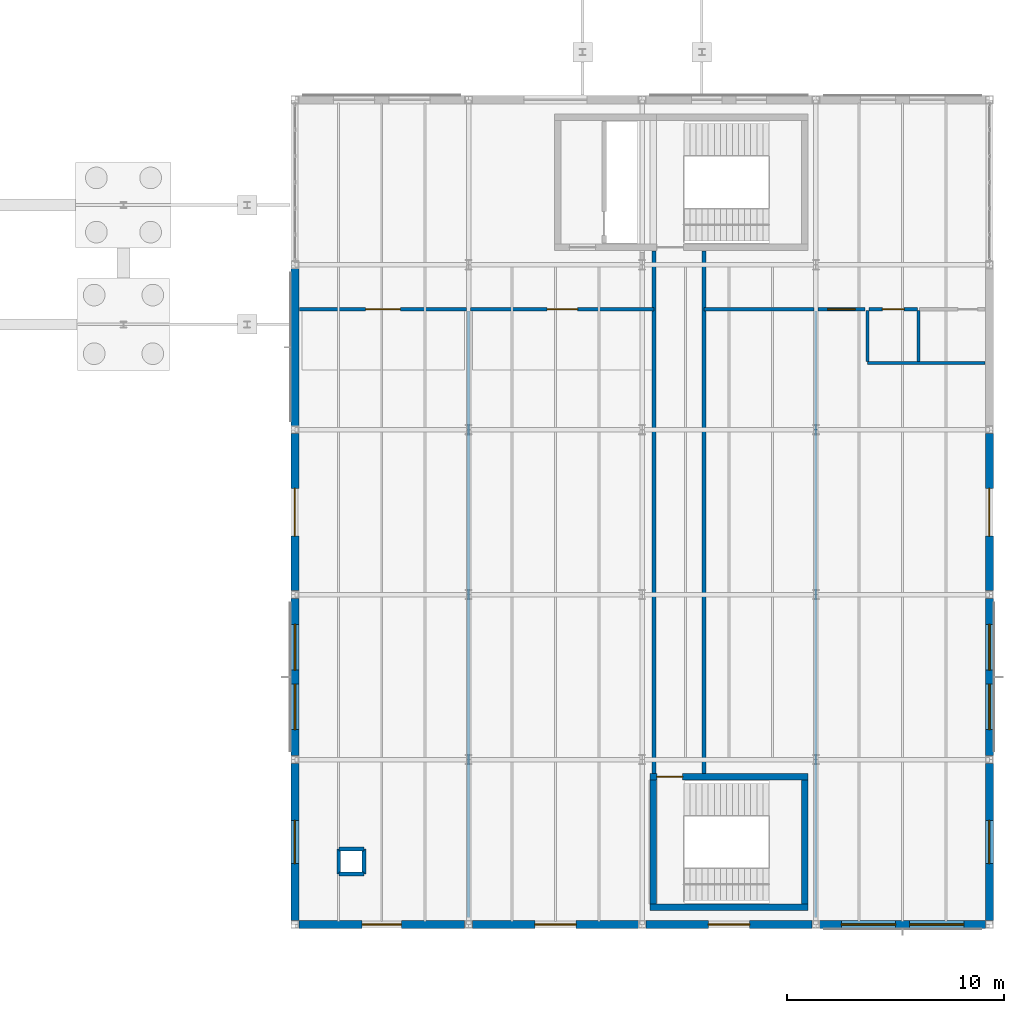
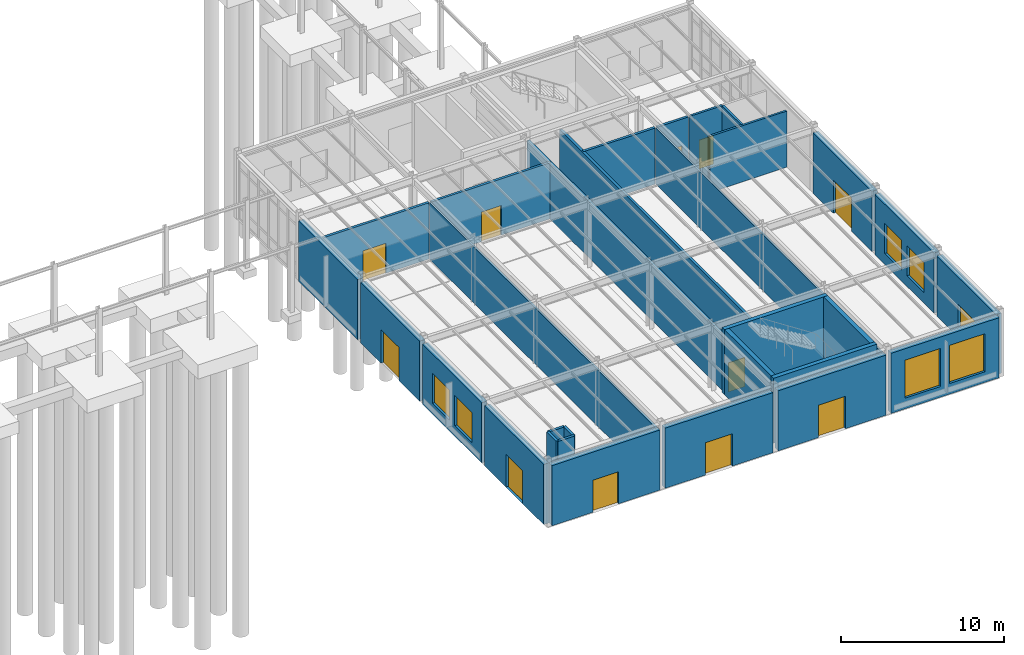
# One storey, part 91 of 109: 31 walls, 12 doors, 6 windows, 18 openings.
"""IFC4 building model written with IfcOpenShell, lengths in metres."""

from ifc_helpers import new_model, si_unit, direction, frame, frame_2d, origin, place, context, subcontext, project, spatial, rectangle, extrude, material, layer, layer_set, type_object, element, fill, save


model = new_model("IFC4")

# Units and contexts
model_context = context("Model", 3, precision=1e-05, world=origin(), true_north=direction((0.0, 1.0)))
body_context = subcontext(model_context, "Body", "Model", "MODEL_VIEW")
ifc_project = project(units=[si_unit("LENGTHUNIT", "METRE"), si_unit("AREAUNIT", "SQUARE_METRE"), si_unit("VOLUMEUNIT", "CUBIC_METRE"), si_unit("PLANEANGLEUNIT", "RADIAN"), si_unit("MASSUNIT", "GRAM", prefix="KILO")], contexts=[model_context])

# Site, building, storey
site_placement = place(None, origin())
site = spatial("IfcSite", under=ifc_project, at=site_placement, CompositionType="ELEMENT")
building_placement = place(site_placement, origin())
building = spatial("IfcBuilding", under=site, at=building_placement, Name="Montecoro Central Library", CompositionType="ELEMENT")
storey_placement = place(building_placement, origin())
storey = spatial("IfcBuildingStorey", under=building, at=storey_placement, Name="L00", CompositionType="ELEMENT", Elevation=0.0)

# Wall, opening, door
ifc_material_1 = material(Name="Dark piperno stone clad concrete C35/45", Category="masonry")
ifc_layer_1 = layer(ifc_material_1, 0.385009765625)
ifc_layer_set_1 = layer_set([ifc_layer_1], Name="Dark piperno stone clad concrete C35/45")
wall_type_1 = type_object("IfcWallType", Name="EW-PIP-385", PredefinedType="SOLIDWALL", material=ifc_layer_set_1)
wall_1_placement = place(storey_placement, frame((141.177978515625, 5.0, 0.0), z_axis=(0.0, 0.0, 1.0), x_axis=(1.0, 0.0, 0.0)))
wall_1 = element("IfcWall", 1, at=wall_1_placement, inside=storey, type_object=wall_type_1, Name="V6-L00-EW-S0", PredefinedType="SOLIDWALL", context=body_context, shape_type="SweptSolid", body=[
    extrude(rectangle(XDim=7.64404296875, YDim=0.385009765625, at=frame_2d((3.822021484375, 0.0))), origin(), (0.0, 0.0, 1.0), 4.5),
])
opening_1_placement = place(wall_1_placement, frame((2.922119140625, 0.0, 0.0)))
opening_1 = element("IfcOpeningElement", 2, at=opening_1_placement, cuts=wall_1, Name="Opening ED-05", PredefinedType="OPENING", context=body_context, shape_type="SweptSolid", body=[
    extrude(rectangle(XDim=1.800048828125, YDim=2.39990234375, at=frame_2d((0.89990234375, 1.199951171875))), frame((0.0, 0.202392578125, 0.0), z_axis=(0.0, -1.0, 0.0), x_axis=(1.0, 0.0, 0.0)), (0.0, 0.0, 1.0), 0.405029296875),
])
ifc_material_2 = material(Name="Thermally broken architectural bronze and safety glass", Category="glass")
door_type_1 = type_object("IfcDoorType", Name="ED-CAFE-180", OperationType="NOTDEFINED", PredefinedType="DOOR", material=ifc_material_2)
door_1_placement = place(opening_1_placement, origin())
door_1 = element("IfcDoor", 3, at=door_1_placement, inside=storey, type_object=door_type_1, Name="V6-L00-ED-S0", OperationType="SINGLE_SWING_RIGHT", OverallHeight=2.39990234375, OverallWidth=1.800048828125, PredefinedType="DOOR", context=body_context, shape_type="SweptSolid", body=[
    extrude(rectangle(XDim=1.800048828125, YDim=2.39990234375, at=frame_2d((0.89990234375, 1.199951171875))), frame((0.0, 0.02490234375, 0.0), z_axis=(0.0, -1.0, 0.0), x_axis=(1.0, 0.0, 0.0)), (0.0, 0.0, 1.0), 0.050048828125),
])
fill(opening_1, door_1)

wall_2_placement = place(storey_placement, frame((149.177978515625, 5.0, 0.0), z_axis=(0.0, 0.0, 1.0), x_axis=(1.0, 0.0, 0.0)))
wall_2 = element("IfcWall", 4, at=wall_2_placement, inside=storey, type_object=wall_type_1, Name="V6-L00-EW-S1", PredefinedType="SOLIDWALL", context=body_context, shape_type="SweptSolid", body=[
    extrude(rectangle(XDim=7.64404296875, YDim=0.385009765625, at=frame_2d((3.822021484375, 0.0))), origin(), (0.0, 0.0, 1.0), 4.5),
])
opening_2_placement = place(wall_2_placement, frame((2.8720703125, 0.0, 0.0)))
opening_2 = element("IfcOpeningElement", 5, at=opening_2_placement, cuts=wall_2, Name="Opening ED-06", PredefinedType="OPENING", context=body_context, shape_type="SweptSolid", body=[
    extrude(rectangle(XDim=1.89990234375, YDim=2.419921875, at=frame_2d((0.949951171875, 1.2099609375))), frame((0.0, 0.202392578125, 0.0), z_axis=(0.0, -1.0, 0.0), x_axis=(1.0, 0.0, 0.0)), (0.0, 0.0, 1.0), 0.405029296875),
])
door_type_2 = type_object("IfcDoorType", Name="ED-CAFE-190", OperationType="NOTDEFINED", PredefinedType="DOOR", material=ifc_material_2)
door_2_placement = place(opening_2_placement, origin())
door_2 = element("IfcDoor", 6, at=door_2_placement, inside=storey, type_object=door_type_2, Name="V6-L00-ED-S1", OperationType="SINGLE_SWING_LEFT", OverallHeight=2.419921875, OverallWidth=1.89990234375, PredefinedType="DOOR", context=body_context, shape_type="SweptSolid", body=[
    extrude(rectangle(XDim=1.89990234375, YDim=2.419921875, at=frame_2d((0.949951171875, 1.2099609375))), frame((0.0, 0.02490234375, 0.0), z_axis=(0.0, -1.0, 0.0), x_axis=(1.0, 0.0, 0.0)), (0.0, 0.0, 1.0), 0.050048828125),
])
fill(opening_2, door_2)

wall_3_placement = place(storey_placement, frame((157.177978515625, 5.0, 0.0), z_axis=(0.0, 0.0, 1.0), x_axis=(1.0, 0.0, 0.0)))
wall_3 = element("IfcWall", 7, at=wall_3_placement, inside=storey, type_object=wall_type_1, Name="V6-L00-EW-S2", PredefinedType="SOLIDWALL", context=body_context, shape_type="SweptSolid", body=[
    extrude(rectangle(XDim=7.64404296875, YDim=0.385009765625, at=frame_2d((3.822021484375, 0.0))), origin(), (0.0, 0.0, 1.0), 4.5),
])
opening_3_placement = place(wall_3_placement, frame((2.8720703125, 0.0, 0.0)))
opening_3 = element("IfcOpeningElement", 8, at=opening_3_placement, cuts=wall_3, Name="Opening ED-06", PredefinedType="OPENING", context=body_context, shape_type="SweptSolid", body=[
    extrude(rectangle(XDim=1.89990234375, YDim=2.419921875, at=frame_2d((0.949951171875, 1.2099609375))), frame((0.0, 0.202392578125, 0.0), z_axis=(0.0, -1.0, 0.0), x_axis=(1.0, 0.0, 0.0)), (0.0, 0.0, 1.0), 0.405029296875),
])
door_3_placement = place(opening_3_placement, origin())
door_3 = element("IfcDoor", 9, at=door_3_placement, inside=storey, type_object=door_type_2, Name="V6-L00-ED-S2", OperationType="SINGLE_SWING_RIGHT", OverallHeight=2.419921875, OverallWidth=1.89990234375, PredefinedType="DOOR", context=body_context, shape_type="SweptSolid", body=[
    extrude(rectangle(XDim=1.89990234375, YDim=2.419921875, at=frame_2d((0.949951171875, 1.2099609375))), frame((0.0, 0.02490234375, 0.0), z_axis=(0.0, -1.0, 0.0), x_axis=(1.0, 0.0, 0.0)), (0.0, 0.0, 1.0), 0.050048828125),
])
fill(opening_3, door_3)

# Wall, openings, windows
wall_4_placement = place(storey_placement, frame((165.177978515625, 5.0, 0.0), z_axis=(0.0, 0.0, 1.0), x_axis=(1.0, 0.0, 0.0)))
wall_4 = element("IfcWall", 10, at=wall_4_placement, inside=storey, type_object=wall_type_1, Name="V6-L00-EW-S3", PredefinedType="SOLIDWALL", context=body_context, shape_type="SweptSolid", body=[
    extrude(rectangle(XDim=7.64404296875, YDim=0.385009765625, at=frame_2d((3.822021484375, 0.0))), origin(), (0.0, 0.0, 1.0), 4.5),
])
opening_4_placement = place(wall_4_placement, frame((0.9970703125, 0.0, 0.800048828125)))
opening_4 = element("IfcOpeningElement", 11, at=opening_4_placement, cuts=wall_4, Name="Opening WN-21", PredefinedType="OPENING", context=body_context, shape_type="SweptSolid", body=[
    extrude(rectangle(XDim=2.5, YDim=2.85009765625, at=frame_2d((1.25, 1.425048828125))), frame((0.0, 0.202392578125, 0.0), z_axis=(0.0, -1.0, 0.0), x_axis=(1.0, 0.0, 0.0)), (0.0, 0.0, 1.0), 0.405029296875),
])
opening_5_placement = place(wall_4_placement, frame((4.14697265625, 0.0, 0.800048828125)))
opening_5 = element("IfcOpeningElement", 12, at=opening_5_placement, cuts=wall_4, Name="Opening WN-21", PredefinedType="OPENING", context=body_context, shape_type="SweptSolid", body=[
    extrude(rectangle(XDim=2.5, YDim=2.85009765625, at=frame_2d((1.25, 1.425048828125))), frame((0.0, 0.202392578125, 0.0), z_axis=(0.0, -1.0, 0.0), x_axis=(1.0, 0.0, 0.0)), (0.0, 0.0, 1.0), 0.405029296875),
])
ifc_material_3 = material(Name="Laminated low-E double glazing", Category="glass")
window_type_1 = type_object("IfcWindowType", Name="WN-CAF-250", PartitioningType="SINGLE_PANEL", PredefinedType="WINDOW", material=ifc_material_3)
window_1_placement = place(opening_4_placement, origin())
window_1 = element("IfcWindow", 13, at=window_1_placement, inside=storey, type_object=window_type_1, Name="V6-L00-WN-S3-1", OverallHeight=2.85009765625, OverallWidth=2.5, PartitioningType="SINGLE_PANEL", PredefinedType="WINDOW", context=body_context, shape_type="SweptSolid", body=[
    extrude(rectangle(XDim=2.5, YDim=2.85009765625, at=frame_2d((1.25, 1.425048828125))), frame((0.0, 0.030029296875, 0.0), z_axis=(0.0, -1.0, 0.0), x_axis=(1.0, 0.0, 0.0)), (0.0, 0.0, 1.0), 0.06005859375),
])
fill(opening_4, window_1)
window_2_placement = place(opening_5_placement, origin())
window_2 = element("IfcWindow", 14, at=window_2_placement, inside=storey, type_object=window_type_1, Name="V6-L00-WN-S3-2", OverallHeight=2.85009765625, OverallWidth=2.5, PartitioningType="SINGLE_PANEL", PredefinedType="WINDOW", context=body_context, shape_type="SweptSolid", body=[
    extrude(rectangle(XDim=2.5, YDim=2.85009765625, at=frame_2d((1.25, 1.425048828125))), frame((0.0, 0.030029296875, 0.0), z_axis=(0.0, -1.0, 0.0), x_axis=(1.0, 0.0, 0.0)), (0.0, 0.0, 1.0), 0.06005859375),
])
fill(opening_5, window_2)

# Wall, opening, door
wall_5_placement = place(storey_placement, frame((173.0, 5.177978515625, 0.0), z_axis=(0.0, 0.0, 1.0), x_axis=(0.0, 1.0, 0.0)))
wall_5 = element("IfcWall", 15, at=wall_5_placement, inside=storey, type_object=wall_type_1, Name="V6-L00-EW-E0", PredefinedType="SOLIDWALL", context=body_context, shape_type="SweptSolid", body=[
    extrude(rectangle(XDim=7.244140625, YDim=0.385009765625, at=frame_2d((3.6220703125, 0.0))), origin(), (0.0, 0.0, 1.0), 4.5),
])
opening_6_placement = place(wall_5_placement, frame((2.6220703125, 0.0, 0.0)))
opening_6 = element("IfcOpeningElement", 16, at=opening_6_placement, cuts=wall_5, Name="Opening ED-03", PredefinedType="OPENING", context=body_context, shape_type="SweptSolid", body=[
    extrude(rectangle(XDim=2.0, YDim=2.449951171875, at=frame_2d((1.0, 1.22509765625))), frame((0.0, 0.202392578125, 0.0), z_axis=(0.0, -1.0, 0.0), x_axis=(1.0, 0.0, 0.0)), (0.0, 0.0, 1.0), 0.405029296875),
])
door_type_3 = type_object("IfcDoorType", Name="ED-EXIT-200", OperationType="NOTDEFINED", PredefinedType="DOOR", material=ifc_material_2)
door_4_placement = place(opening_6_placement, origin())
door_4 = element("IfcDoor", 17, at=door_4_placement, inside=storey, type_object=door_type_3, Name="V6-L00-ED-E0", OperationType="SINGLE_SWING_LEFT", OverallHeight=2.449951171875, OverallWidth=2.0, PredefinedType="DOOR", context=body_context, shape_type="SweptSolid", body=[
    extrude(rectangle(XDim=2.0, YDim=2.449951171875, at=frame_2d((1.0, 1.22509765625))), frame((0.0, 0.02490234375, 0.0), z_axis=(0.0, -1.0, 0.0), x_axis=(1.0, 0.0, 0.0)), (0.0, 0.0, 1.0), 0.050048828125),
])
fill(opening_6, door_4)

# Wall, openings, windows
wall_6_placement = place(storey_placement, frame((173.0, 12.778076171875, 0.0), z_axis=(0.0, 0.0, 1.0), x_axis=(0.0, 1.0, 0.0)))
wall_6 = element("IfcWall", 18, at=wall_6_placement, inside=storey, type_object=wall_type_1, Name="V6-L00-EW-E1", PredefinedType="SOLIDWALL", context=body_context, shape_type="SweptSolid", body=[
    extrude(rectangle(XDim=7.243896484375, YDim=0.385009765625, at=frame_2d((3.6220703125, 0.0))), origin(), (0.0, 0.0, 1.0), 4.5),
])
opening_7_placement = place(wall_6_placement, frame((1.197021484375, 0.0, 0.800048828125)))
opening_7 = element("IfcOpeningElement", 19, at=opening_7_placement, cuts=wall_6, Name="Opening WN-19", PredefinedType="OPENING", context=body_context, shape_type="SweptSolid", body=[
    extrude(rectangle(XDim=2.10009765625, YDim=2.25, at=frame_2d((1.050048828125, 1.125))), frame((0.0, 0.202392578125, 0.0), z_axis=(0.0, -1.0, 0.0), x_axis=(1.0, 0.0, 0.0)), (0.0, 0.0, 1.0), 0.405029296875),
])
opening_8_placement = place(wall_6_placement, frame((3.947021484375, 0.0, 0.800048828125)))
opening_8 = element("IfcOpeningElement", 20, at=opening_8_placement, cuts=wall_6, Name="Opening WN-19", PredefinedType="OPENING", context=body_context, shape_type="SweptSolid", body=[
    extrude(rectangle(XDim=2.10009765625, YDim=2.25, at=frame_2d((1.050048828125, 1.125))), frame((0.0, 0.202392578125, 0.0), z_axis=(0.0, -1.0, 0.0), x_axis=(1.0, 0.0, 0.0)), (0.0, 0.0, 1.0), 0.405029296875),
])
window_type_2 = type_object("IfcWindowType", Name="WN-COM-210", PartitioningType="SINGLE_PANEL", PredefinedType="WINDOW", material=ifc_material_3)
window_3_placement = place(opening_7_placement, origin())
window_3 = element("IfcWindow", 21, at=window_3_placement, inside=storey, type_object=window_type_2, Name="V6-L00-WN-E1-1", OverallHeight=2.25, OverallWidth=2.10009765625, PartitioningType="SINGLE_PANEL", PredefinedType="WINDOW", context=body_context, shape_type="SweptSolid", body=[
    extrude(rectangle(XDim=2.10009765625, YDim=2.25, at=frame_2d((1.050048828125, 1.125))), frame((0.0, 0.030029296875, 0.0), z_axis=(0.0, -1.0, 0.0), x_axis=(1.0, 0.0, 0.0)), (0.0, 0.0, 1.0), 0.06005859375),
])
fill(opening_7, window_3)
window_4_placement = place(opening_8_placement, origin())
window_4 = element("IfcWindow", 22, at=window_4_placement, inside=storey, type_object=window_type_2, Name="V6-L00-WN-E1-2", OverallHeight=2.25, OverallWidth=2.10009765625, PartitioningType="SINGLE_PANEL", PredefinedType="WINDOW", context=body_context, shape_type="SweptSolid", body=[
    extrude(rectangle(XDim=2.10009765625, YDim=2.25, at=frame_2d((1.050048828125, 1.125))), frame((0.0, 0.030029296875, 0.0), z_axis=(0.0, -1.0, 0.0), x_axis=(1.0, 0.0, 0.0)), (0.0, 0.0, 1.0), 0.06005859375),
])
fill(opening_8, window_4)

# Wall, opening, door
wall_7_placement = place(storey_placement, frame((173.0, 20.3779296875, 0.0), z_axis=(0.0, 0.0, 1.0), x_axis=(0.0, 1.0, 0.0)))
wall_7 = element("IfcWall", 23, at=wall_7_placement, inside=storey, type_object=wall_type_1, Name="V6-L00-EW-E2", PredefinedType="SOLIDWALL", context=body_context, shape_type="SweptSolid", body=[
    extrude(rectangle(XDim=7.244140625, YDim=0.385009765625, at=frame_2d((3.6220703125, 0.0))), origin(), (0.0, 0.0, 1.0), 4.5),
])
opening_9_placement = place(wall_7_placement, frame((2.52197265625, 0.0, 0.0)))
opening_9 = element("IfcOpeningElement", 24, at=opening_9_placement, cuts=wall_7, Name="Opening ED-01", PredefinedType="OPENING", context=body_context, shape_type="SweptSolid", body=[
    extrude(rectangle(XDim=2.199951171875, YDim=2.5, at=frame_2d((1.10009765625, 1.25))), frame((0.0, 0.202392578125, 0.0), z_axis=(0.0, -1.0, 0.0), x_axis=(1.0, 0.0, 0.0)), (0.0, 0.0, 1.0), 0.405029296875),
])
door_type_4 = type_object("IfcDoorType", Name="ED-EXIT-220", OperationType="NOTDEFINED", PredefinedType="DOOR", material=ifc_material_2)
door_5_placement = place(opening_9_placement, origin())
door_5 = element("IfcDoor", 25, at=door_5_placement, inside=storey, type_object=door_type_4, Name="V6-L00-ED-E2", OperationType="SINGLE_SWING_RIGHT", OverallHeight=2.5, OverallWidth=2.199951171875, PredefinedType="DOOR", context=body_context, shape_type="SweptSolid", body=[
    extrude(rectangle(XDim=2.199951171875, YDim=2.5, at=frame_2d((1.10009765625, 1.25))), frame((0.0, 0.02490234375, 0.0), z_axis=(0.0, -1.0, 0.0), x_axis=(1.0, 0.0, 0.0)), (0.0, 0.0, 1.0), 0.050048828125),
])
fill(opening_9, door_5)

# Wall
wall_8_placement = place(storey_placement, frame((141.0, 35.221923828125, 0.0), z_axis=(0.0, 0.0, 1.0), x_axis=(0.0, -1.0, 0.0)))
element("IfcWall", 26, at=wall_8_placement, inside=storey, type_object=wall_type_1, Name="V6-L00-EW-W3", PredefinedType="SOLIDWALL", context=body_context, shape_type="SweptSolid", body=[
    extrude(rectangle(XDim=7.243896484375, YDim=0.385009765625, at=frame_2d((3.6220703125, 0.0))), origin(), (0.0, 0.0, 1.0), 4.5),
])

# Wall, opening, door
wall_9_placement = place(storey_placement, frame((141.0, 27.6220703125, 0.0), z_axis=(0.0, 0.0, 1.0), x_axis=(0.0, -1.0, 0.0)))
wall_9 = element("IfcWall", 27, at=wall_9_placement, inside=storey, type_object=wall_type_1, Name="V6-L00-EW-W2", PredefinedType="SOLIDWALL", context=body_context, shape_type="SweptSolid", body=[
    extrude(rectangle(XDim=7.244140625, YDim=0.385009765625, at=frame_2d((3.6220703125, 0.0))), origin(), (0.0, 0.0, 1.0), 4.5),
])
opening_10_placement = place(wall_9_placement, frame((2.52197265625, 0.0, 0.0)))
opening_10 = element("IfcOpeningElement", 28, at=opening_10_placement, cuts=wall_9, Name="Opening ED-01", PredefinedType="OPENING", context=body_context, shape_type="SweptSolid", body=[
    extrude(rectangle(XDim=2.199951171875, YDim=2.5, at=frame_2d((1.10009765625, 1.25))), frame((0.0, 0.202392578125, 0.0), z_axis=(0.0, -1.0, 0.0), x_axis=(1.0, 0.0, 0.0)), (0.0, 0.0, 1.0), 0.405029296875),
])
door_6_placement = place(opening_10_placement, origin())
door_6 = element("IfcDoor", 29, at=door_6_placement, inside=storey, type_object=door_type_4, Name="V6-L00-ED-W2", OperationType="SINGLE_SWING_LEFT", OverallHeight=2.5, OverallWidth=2.199951171875, PredefinedType="DOOR", context=body_context, shape_type="SweptSolid", body=[
    extrude(rectangle(XDim=2.199951171875, YDim=2.5, at=frame_2d((1.10009765625, 1.25))), frame((0.0, 0.02490234375, 0.0), z_axis=(0.0, -1.0, 0.0), x_axis=(1.0, 0.0, 0.0)), (0.0, 0.0, 1.0), 0.050048828125),
])
fill(opening_10, door_6)

# Wall, openings, windows
wall_10_placement = place(storey_placement, frame((141.0, 20.02197265625, 0.0), z_axis=(0.0, 0.0, 1.0), x_axis=(0.0, -1.0, 0.0)))
wall_10 = element("IfcWall", 30, at=wall_10_placement, inside=storey, type_object=wall_type_1, Name="V6-L00-EW-W1", PredefinedType="SOLIDWALL", context=body_context, shape_type="SweptSolid", body=[
    extrude(rectangle(XDim=7.243896484375, YDim=0.385009765625, at=frame_2d((3.6220703125, 0.0))), origin(), (0.0, 0.0, 1.0), 4.5),
])
opening_11_placement = place(wall_10_placement, frame((1.197021484375, 0.0, 0.800048828125)))
opening_11 = element("IfcOpeningElement", 31, at=opening_11_placement, cuts=wall_10, Name="Opening WN-19", PredefinedType="OPENING", context=body_context, shape_type="SweptSolid", body=[
    extrude(rectangle(XDim=2.10009765625, YDim=2.25, at=frame_2d((1.050048828125, 1.125))), frame((0.0, 0.202392578125, 0.0), z_axis=(0.0, -1.0, 0.0), x_axis=(1.0, 0.0, 0.0)), (0.0, 0.0, 1.0), 0.405029296875),
])
opening_12_placement = place(wall_10_placement, frame((3.947021484375, 0.0, 0.800048828125)))
opening_12 = element("IfcOpeningElement", 32, at=opening_12_placement, cuts=wall_10, Name="Opening WN-19", PredefinedType="OPENING", context=body_context, shape_type="SweptSolid", body=[
    extrude(rectangle(XDim=2.10009765625, YDim=2.25, at=frame_2d((1.050048828125, 1.125))), frame((0.0, 0.202392578125, 0.0), z_axis=(0.0, -1.0, 0.0), x_axis=(1.0, 0.0, 0.0)), (0.0, 0.0, 1.0), 0.405029296875),
])
window_5_placement = place(opening_11_placement, origin())
window_5 = element("IfcWindow", 33, at=window_5_placement, inside=storey, type_object=window_type_2, Name="V6-L00-WN-W1-1", OverallHeight=2.25, OverallWidth=2.10009765625, PartitioningType="SINGLE_PANEL", PredefinedType="WINDOW", context=body_context, shape_type="SweptSolid", body=[
    extrude(rectangle(XDim=2.10009765625, YDim=2.25, at=frame_2d((1.050048828125, 1.125))), frame((0.0, 0.030029296875, 0.0), z_axis=(0.0, -1.0, 0.0), x_axis=(1.0, 0.0, 0.0)), (0.0, 0.0, 1.0), 0.06005859375),
])
fill(opening_11, window_5)
window_6_placement = place(opening_12_placement, origin())
window_6 = element("IfcWindow", 34, at=window_6_placement, inside=storey, type_object=window_type_2, Name="V6-L00-WN-W1-2", OverallHeight=2.25, OverallWidth=2.10009765625, PartitioningType="SINGLE_PANEL", PredefinedType="WINDOW", context=body_context, shape_type="SweptSolid", body=[
    extrude(rectangle(XDim=2.10009765625, YDim=2.25, at=frame_2d((1.050048828125, 1.125))), frame((0.0, 0.030029296875, 0.0), z_axis=(0.0, -1.0, 0.0), x_axis=(1.0, 0.0, 0.0)), (0.0, 0.0, 1.0), 0.06005859375),
])
fill(opening_12, window_6)

# Wall, opening, door
wall_11_placement = place(storey_placement, frame((141.0, 12.422119140625, 0.0), z_axis=(0.0, 0.0, 1.0), x_axis=(0.0, -1.0, 0.0)))
wall_11 = element("IfcWall", 35, at=wall_11_placement, inside=storey, type_object=wall_type_1, Name="V6-L00-EW-W0", PredefinedType="SOLIDWALL", context=body_context, shape_type="SweptSolid", body=[
    extrude(rectangle(XDim=7.244140625, YDim=0.385009765625, at=frame_2d((3.6220703125, 0.0))), origin(), (0.0, 0.0, 1.0), 4.5),
])
opening_13_placement = place(wall_11_placement, frame((2.6220703125, 0.0, 0.0)))
opening_13 = element("IfcOpeningElement", 36, at=opening_13_placement, cuts=wall_11, Name="Opening ED-03", PredefinedType="OPENING", context=body_context, shape_type="SweptSolid", body=[
    extrude(rectangle(XDim=2.0, YDim=2.449951171875, at=frame_2d((1.0, 1.22509765625))), frame((0.0, 0.202392578125, 0.0), z_axis=(0.0, -1.0, 0.0), x_axis=(1.0, 0.0, 0.0)), (0.0, 0.0, 1.0), 0.405029296875),
])
door_7_placement = place(opening_13_placement, origin())
door_7 = element("IfcDoor", 37, at=door_7_placement, inside=storey, type_object=door_type_3, Name="V6-L00-ED-W0", OperationType="SINGLE_SWING_RIGHT", OverallHeight=2.449951171875, OverallWidth=2.0, PredefinedType="DOOR", context=body_context, shape_type="SweptSolid", body=[
    extrude(rectangle(XDim=2.0, YDim=2.449951171875, at=frame_2d((1.0, 1.22509765625))), frame((0.0, 0.02490234375, 0.0), z_axis=(0.0, -1.0, 0.0), x_axis=(1.0, 0.0, 0.0)), (0.0, 0.0, 1.0), 0.050048828125),
])
fill(opening_13, door_7)

# Walls
ifc_material_4 = material(Name="Gypsum fire-rated partition")
ifc_layer_2 = layer(ifc_material_4, 0.179931640625)
ifc_layer_set_2 = layer_set([ifc_layer_2], Name="Gypsum fire-rated partition")
wall_type_2 = type_object("IfcWallType", Name="IW-COR-180", PredefinedType="PARTITIONING", material=ifc_layer_set_2)
for number, where, z_axis, x_axis, name in (
    (38, (143.02001953125, 7.320068359375, 0.0), (0.0, 0.0, 1.0), (1.0, 0.0, 0.0), "RSR-V6-L00-SL1-S"),
    (39, (144.179931640625, 8.47998046875, 0.0), (0.0, 0.0, 1.0), (-1.0, 0.0, 0.0), "RSR-V6-L00-SL1-N"),
    (40, (143.02001953125, 8.47998046875, 0.0), (0.0, 0.0, 1.0), (0.0, -1.0, 0.0), "RSR-V6-L00-SL1-W"),
    (41, (144.179931640625, 7.320068359375, 0.0), (0.0, 0.0, 1.0), (0.0, 1.0, 0.0), "RSR-V6-L00-SL1-E"),
):
    element("IfcWall", number, at=place(storey_placement, frame(where, z_axis=z_axis, x_axis=x_axis)), inside=storey, type_object=wall_type_2, Name=name, PredefinedType="PARTITIONING", context=body_context, shape_type="SweptSolid", body=[
        extrude(rectangle(XDim=1.159912109375, YDim=0.179931640625, at=frame_2d((0.580078125, 0.0))), origin(), (0.0, 0.0, 1.0), 4.199951171875),
    ])

# Wall, opening, door
wall_12_placement = place(storey_placement, frame((141.199951171875, 33.35009765625, 0.0), z_axis=(0.0, 0.0, 1.0), x_axis=(1.0, 0.0, 0.0)))
wall_12 = element("IfcWall", 42, at=wall_12_placement, inside=storey, type_object=wall_type_2, Name="CORW-V6-L00-01", PredefinedType="PARTITIONING", context=body_context, shape_type="SweptSolid", body=[
    extrude(rectangle(XDim=7.7099609375, YDim=0.179931640625, at=frame_2d((3.85498046875, 0.0))), origin(), (0.0, 0.0, 1.0), 4.199951171875),
])
opening_14_placement = place(wall_12_placement, frame((3.054931640625, 0.0, 0.0)))
opening_14 = element("IfcOpeningElement", 43, at=opening_14_placement, cuts=wall_12, Name="Opening ID-06", PredefinedType="OPENING", context=body_context, shape_type="SweptSolid", body=[
    extrude(rectangle(XDim=1.60009765625, YDim=2.25, at=frame_2d((0.800048828125, 1.125))), frame((0.0, 0.099853515625, 0.0), z_axis=(0.0, -1.0, 0.0), x_axis=(1.0, 0.0, 0.0)), (0.0, 0.0, 1.0), 0.199951171875),
])
ifc_material_5 = material(Name="Solid oak and fire-rated steel door", Category="steel")
door_type_5 = type_object("IfcDoorType", Name="ID-COR-160", OperationType="NOTDEFINED", PredefinedType="DOOR", material=ifc_material_5)
door_8_placement = place(opening_14_placement, origin())
door_8 = element("IfcDoor", 44, at=door_8_placement, inside=storey, type_object=door_type_5, Name="DR-SP-V6-L00-R1P1", OperationType="DOUBLE_DOOR_SINGLE_SWING", OverallHeight=2.25, OverallWidth=1.60009765625, PredefinedType="DOOR", context=body_context, shape_type="SweptSolid", body=[
    extrude(rectangle(XDim=1.60009765625, YDim=2.25, at=frame_2d((0.800048828125, 1.125))), frame((0.0, 0.02490234375, 0.0), z_axis=(0.0, -1.0, 0.0), x_axis=(1.0, 0.0, 0.0)), (0.0, 0.0, 1.0), 0.050048828125),
])
fill(opening_14, door_8)

wall_13_placement = place(storey_placement, frame((149.090087890625, 33.35009765625, 0.0), z_axis=(0.0, 0.0, 1.0), x_axis=(1.0, 0.0, 0.0)))
wall_13 = element("IfcWall", 45, at=wall_13_placement, inside=storey, type_object=wall_type_2, Name="CORW-V6-L00-02", PredefinedType="PARTITIONING", context=body_context, shape_type="SweptSolid", body=[
    extrude(rectangle(XDim=8.4599609375, YDim=0.179931640625, at=frame_2d((4.22998046875, 0.0))), origin(), (0.0, 0.0, 1.0), 4.199951171875),
])
opening_15_placement = place(wall_13_placement, frame((3.530029296875, 0.0, 0.0)))
opening_15 = element("IfcOpeningElement", 46, at=opening_15_placement, cuts=wall_13, Name="Opening ID-08", PredefinedType="OPENING", context=body_context, shape_type="SweptSolid", body=[
    extrude(rectangle(XDim=1.39990234375, YDim=2.219970703125, at=frame_2d((0.699951171875, 1.10986328125))), frame((0.0, 0.099853515625, 0.0), z_axis=(0.0, -1.0, 0.0), x_axis=(1.0, 0.0, 0.0)), (0.0, 0.0, 1.0), 0.199951171875),
])
door_type_6 = type_object("IfcDoorType", Name="ID-RDG-140", OperationType="NOTDEFINED", PredefinedType="DOOR", material=ifc_material_5)
door_9_placement = place(opening_15_placement, origin())
door_9 = element("IfcDoor", 47, at=door_9_placement, inside=storey, type_object=door_type_6, Name="DR-SP-V6-L00-R2P1", OperationType="SINGLE_SWING_RIGHT", OverallHeight=2.219970703125, OverallWidth=1.39990234375, PredefinedType="DOOR", context=body_context, shape_type="SweptSolid", body=[
    extrude(rectangle(XDim=1.39990234375, YDim=2.219970703125, at=frame_2d((0.699951171875, 1.10986328125))), frame((0.0, 0.02490234375, 0.0), z_axis=(0.0, -1.0, 0.0), x_axis=(1.0, 0.0, 0.0)), (0.0, 0.0, 1.0), 0.050048828125),
])
fill(opening_15, door_9)

# Wall
wall_14_placement = place(storey_placement, frame((159.85009765625, 33.35009765625, 0.0), z_axis=(0.0, 0.0, 1.0), x_axis=(1.0, 0.0, 0.0)))
element("IfcWall", 48, at=wall_14_placement, inside=storey, type_object=wall_type_2, Name="CORW-V6-L00-03", PredefinedType="PARTITIONING", context=body_context, shape_type="SweptSolid", body=[
    extrude(rectangle(XDim=5.059814453125, YDim=0.179931640625, at=frame_2d((2.52978515625, 0.0))), origin(), (0.0, 0.0, 1.0), 4.199951171875),
])

# Wall, opening, door
wall_15_placement = place(storey_placement, frame((165.090087890625, 33.35009765625, 0.0), z_axis=(0.0, 0.0, 1.0), x_axis=(1.0, 0.0, 0.0)))
wall_15 = element("IfcWall", 49, at=wall_15_placement, inside=storey, type_object=wall_type_2, Name="CORW-V6-L00-04", PredefinedType="PARTITIONING", context=body_context, shape_type="SweptSolid", body=[
    extrude(rectangle(XDim=2.169921875, YDim=0.179931640625, at=frame_2d((1.0849609375, 0.0))), origin(), (0.0, 0.0, 1.0), 4.199951171875),
])
opening_16_placement = place(wall_15_placement, frame((0.455078125, 0.0, 0.0)))
opening_16 = element("IfcOpeningElement", 50, at=opening_16_placement, cuts=wall_15, Name="Opening ID-09", PredefinedType="OPENING", context=body_context, shape_type="SweptSolid", body=[
    extrude(rectangle(XDim=1.260009765625, YDim=2.199951171875, at=frame_2d((0.6298828125, 1.10009765625))), frame((0.0, 0.099853515625, 0.0), z_axis=(0.0, -1.0, 0.0), x_axis=(1.0, 0.0, 0.0)), (0.0, 0.0, 1.0), 0.199951171875),
])
door_type_7 = type_object("IfcDoorType", Name="ID-RDG-126", OperationType="NOTDEFINED", PredefinedType="DOOR", material=ifc_material_5)
door_10_placement = place(opening_16_placement, origin())
door_10 = element("IfcDoor", 51, at=door_10_placement, inside=storey, type_object=door_type_7, Name="DR-SP-V6-L00-R3P1", OperationType="SINGLE_SWING_LEFT", OverallHeight=2.199951171875, OverallWidth=1.260009765625, PredefinedType="DOOR", context=body_context, shape_type="SweptSolid", body=[
    extrude(rectangle(XDim=1.260009765625, YDim=2.199951171875, at=frame_2d((0.6298828125, 1.10009765625))), frame((0.0, 0.02490234375, 0.0), z_axis=(0.0, -1.0, 0.0), x_axis=(1.0, 0.0, 0.0)), (0.0, 0.0, 1.0), 0.050048828125),
])
fill(opening_16, door_10)

# Walls
for number, where, z_axis, x_axis, name in (
    (52, (157.550048828125, 11.9599609375, 0.0), (0.0, 0.0, 1.0), (0.0, 1.0, 0.0), "SPRW-V6-L00-1W1"),
    (53, (159.85009765625, 11.9599609375, 0.0), (0.0, 0.0, 1.0), (0.0, 1.0, 0.0), "SPRW-V6-L00-1E1"),
):
    element("IfcWall", number, at=place(storey_placement, frame(where, z_axis=z_axis, x_axis=x_axis)), inside=storey, type_object=wall_type_2, Name=name, PredefinedType="PARTITIONING", context=body_context, shape_type="SweptSolid", body=[
        extrude(rectangle(XDim=24.080078125, YDim=0.179931640625, at=frame_2d((12.0400390625, 0.0))), origin(), (0.0, 0.0, 1.0), 4.199951171875),
    ])
ifc_material_6 = material(Name="Gypsum metal-stud partition")
ifc_layer_3 = layer(ifc_material_6, 0.1201171875)
ifc_layer_set_3 = layer_set([ifc_layer_3], Name="Gypsum metal-stud partition")
wall_type_3 = type_object("IfcWallType", Name="IW-PRT-120", PredefinedType="PARTITIONING", material=ifc_layer_set_3)
wall_16_placement = place(storey_placement, frame((165.0, 5.320068359375, 0.0), z_axis=(0.0, 0.0, 1.0), x_axis=(0.0, 1.0, 0.0)))
element("IfcWall", 54, at=wall_16_placement, inside=storey, type_object=wall_type_3, Name="DIVW-V6-L00-02-1", PredefinedType="PARTITIONING", context=body_context, shape_type="SweptSolid", body=[
    extrude(rectangle(XDim=27.93994140625, YDim=0.1201171875, at=frame_2d((13.969970703125, 0.0))), origin(), (0.0, 0.0, 1.0), 4.199951171875),
])
ifc_layer_4 = layer(ifc_material_6, 0.139892578125)
ifc_layer_set_4 = layer_set([ifc_layer_4], Name="Gypsum metal-stud partition")
wall_type_4 = type_object("IfcWallType", Name="IW-PRT-140", PredefinedType="PARTITIONING", material=ifc_layer_set_4)
wall_17_placement = place(storey_placement, frame((149.0, 5.320068359375, 0.0), z_axis=(0.0, 0.0, 1.0), x_axis=(0.0, 1.0, 0.0)))
element("IfcWall", 55, at=wall_17_placement, inside=storey, type_object=wall_type_4, Name="DIVW-V6-L00-01-1", PredefinedType="PARTITIONING", context=body_context, shape_type="SweptSolid", body=[
    extrude(rectangle(XDim=27.93994140625, YDim=0.139892578125, at=frame_2d((13.969970703125, 0.0))), origin(), (0.0, 0.0, 1.0), 4.199951171875),
])
ifc_material_7 = material(Name="Concrete C35/45", Category="concrete")
ifc_layer_5 = layer(ifc_material_7, 0.300048828125)
ifc_layer_set_5 = layer_set([ifc_layer_5], Name="Concrete C35/45")
wall_type_5 = type_object("IfcWallType", Name="IW-SHR-300", PredefinedType="SHEAR", material=ifc_layer_set_5)
wall_18_placement = place(storey_placement, frame((157.35009765625, 5.800048828125, 0.0), z_axis=(0.0, 0.0, 1.0), x_axis=(1.0, 0.0, 0.0)))
element("IfcWall", 56, at=wall_18_placement, inside=storey, type_object=wall_type_5, Name="C10-L00-WS", PredefinedType="SHEAR", context=body_context, shape_type="SweptSolid", body=[
    extrude(rectangle(XDim=7.2998046875, YDim=0.300048828125, at=frame_2d((3.64990234375, 0.0))), origin(), (0.0, 0.0, 1.0), 4.864990234375),
])

# Wall, opening, door
wall_19_placement = place(storey_placement, frame((157.35009765625, 11.800048828125, 0.0), z_axis=(0.0, 0.0, 1.0), x_axis=(1.0, 0.0, 0.0)))
wall_19 = element("IfcWall", 57, at=wall_19_placement, inside=storey, type_object=wall_type_5, Name="C10-L00-WN", PredefinedType="SHEAR", context=body_context, shape_type="SweptSolid", body=[
    extrude(rectangle(XDim=7.2998046875, YDim=0.300048828125, at=frame_2d((3.64990234375, 0.0))), origin(), (0.0, 0.0, 1.0), 4.864990234375),
])
opening_17_placement = place(wall_19_placement, frame((0.330078125, 0.0, 0.0)))
opening_17 = element("IfcOpeningElement", 58, at=opening_17_placement, cuts=wall_19, Name="Opening ID-02", PredefinedType="OPENING", context=body_context, shape_type="SweptSolid", body=[
    extrude(rectangle(XDim=1.179931640625, YDim=2.179931640625, at=frame_2d((0.58984375, 1.08984375))), frame((0.0, 0.159912109375, 0.0), z_axis=(0.0, -1.0, 0.0), x_axis=(1.0, 0.0, 0.0)), (0.0, 0.0, 1.0), 0.320068359375),
])
door_type_8 = type_object("IfcDoorType", Name="ID-STR-135", OperationType="NOTDEFINED", PredefinedType="DOOR", material=ifc_material_5)
door_11_placement = place(opening_17_placement, origin())
door_11 = element("IfcDoor", 59, at=door_11_placement, inside=storey, type_object=door_type_8, Name="C10-L00-DSTR", OperationType="SINGLE_SWING_LEFT", OverallHeight=2.179931640625, OverallWidth=1.179931640625, PredefinedType="DOOR", context=body_context, shape_type="SweptSolid", body=[
    extrude(rectangle(XDim=1.179931640625, YDim=2.179931640625, at=frame_2d((0.58984375, 1.08984375))), frame((0.0, 0.02490234375, 0.0), z_axis=(0.0, -1.0, 0.0), x_axis=(1.0, 0.0, 0.0)), (0.0, 0.0, 1.0), 0.050048828125),
])
fill(opening_17, door_11)

# Walls
for number, where, z_axis, x_axis, name in (
    (60, (157.5, 5.949951171875, 0.0), (0.0, 0.0, 1.0), (0.0, 1.0, 0.0), "C10-L00-WW"),
    (61, (164.5, 5.949951171875, 0.0), (0.0, 0.0, 1.0), (0.0, 1.0, 0.0), "C10-L00-WE"),
):
    element("IfcWall", number, at=place(storey_placement, frame(where, z_axis=z_axis, x_axis=x_axis)), inside=storey, type_object=wall_type_5, Name=name, PredefinedType="SHEAR", context=body_context, shape_type="SweptSolid", body=[
        extrude(rectangle(XDim=5.699951171875, YDim=0.300048828125, at=frame_2d((2.85009765625, 0.0))), origin(), (0.0, 0.0, 1.0), 4.864990234375),
    ])
ifc_material_8 = material(Name="Moisture-resistant ceramic-tiled partition")
ifc_layer_6 = layer(ifc_material_8, 0.14990234375)
ifc_layer_set_6 = layer_set([ifc_layer_6], Name="Moisture-resistant ceramic-tiled partition")
wall_type_6 = type_object("IfcWallType", Name="IW-WET-150", PredefinedType="PARTITIONING", material=ifc_layer_set_6)
wall_20_placement = place(storey_placement, frame((167.3798828125, 30.8701171875, 0.0), z_axis=(0.0, 0.0, 1.0), x_axis=(1.0, 0.0, 0.0)))
element("IfcWall", 62, at=wall_20_placement, inside=storey, type_object=wall_type_6, Name="WC-V6-L00-WBK", PredefinedType="PARTITIONING", context=body_context, shape_type="SweptSolid", body=[
    extrude(rectangle(XDim=5.420166015625, YDim=0.14990234375, at=frame_2d((2.7099609375, 0.0))), origin(), (0.0, 0.0, 1.0), 4.199951171875),
])
for number, where, z_axis, x_axis, name in (
    (63, (167.3798828125, 30.929931640625, 0.0), (0.0, 0.0, 1.0), (0.0, 1.0, 0.0), "WC-V6-L00-WW"),
    (64, (169.72998046875, 30.929931640625, 0.0), (0.0, 0.0, 1.0), (0.0, 1.0, 0.0), "WC-V6-L00-WM"),
):
    element("IfcWall", number, at=place(storey_placement, frame(where, z_axis=z_axis, x_axis=x_axis)), inside=storey, type_object=wall_type_6, Name=name, PredefinedType="PARTITIONING", context=body_context, shape_type="SweptSolid", body=[
        extrude(rectangle(XDim=2.360107421875, YDim=0.14990234375, at=frame_2d((1.18017578125, 0.0))), origin(), (0.0, 0.0, 1.0), 4.199951171875),
    ])

# Wall, opening, door
wall_21_placement = place(storey_placement, frame((167.43994140625, 33.35009765625, 0.0), z_axis=(0.0, 0.0, 1.0), x_axis=(1.0, 0.0, 0.0)))
wall_21 = element("IfcWall", 65, at=wall_21_placement, inside=storey, type_object=wall_type_6, Name="WC-V6-L00-WFA", PredefinedType="PARTITIONING", context=body_context, shape_type="SweptSolid", body=[
    extrude(rectangle(XDim=2.25, YDim=0.14990234375, at=frame_2d((1.125, 0.0))), origin(), (0.0, 0.0, 1.0), 4.199951171875),
])
opening_18_placement = place(wall_21_placement, frame((0.625, 0.0, 0.0)))
opening_18 = element("IfcOpeningElement", 66, at=opening_18_placement, cuts=wall_21, Name="Opening ID-15", PredefinedType="OPENING", context=body_context, shape_type="SweptSolid", body=[
    extrude(rectangle(XDim=1.0, YDim=2.14990234375, at=frame_2d((0.5, 1.074951171875))), frame((0.0, 0.0849609375, 0.0), z_axis=(0.0, -1.0, 0.0), x_axis=(1.0, 0.0, 0.0)), (0.0, 0.0, 1.0), 0.169921875),
])
door_type_9 = type_object("IfcDoorType", Name="ID-AWC-100", OperationType="NOTDEFINED", PredefinedType="DOOR", material=ifc_material_5)
door_12_placement = place(opening_18_placement, origin())
door_12 = element("IfcDoor", 67, at=door_12_placement, inside=storey, type_object=door_type_9, Name="DR-SP-V6-L00-AWC", OperationType="SINGLE_SWING_RIGHT", OverallHeight=2.14990234375, OverallWidth=1.0, PredefinedType="DOOR", context=body_context, shape_type="SweptSolid", body=[
    extrude(rectangle(XDim=1.0, YDim=2.14990234375, at=frame_2d((0.5, 1.074951171875))), frame((0.0, 0.02490234375, 0.0), z_axis=(0.0, -1.0, 0.0), x_axis=(1.0, 0.0, 0.0)), (0.0, 0.0, 1.0), 0.050048828125),
])
fill(opening_18, door_12)

save(model, "model.ifc")
